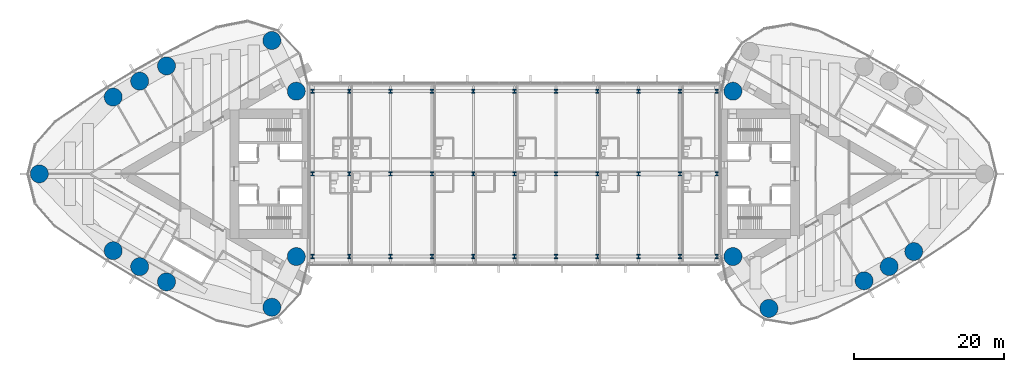
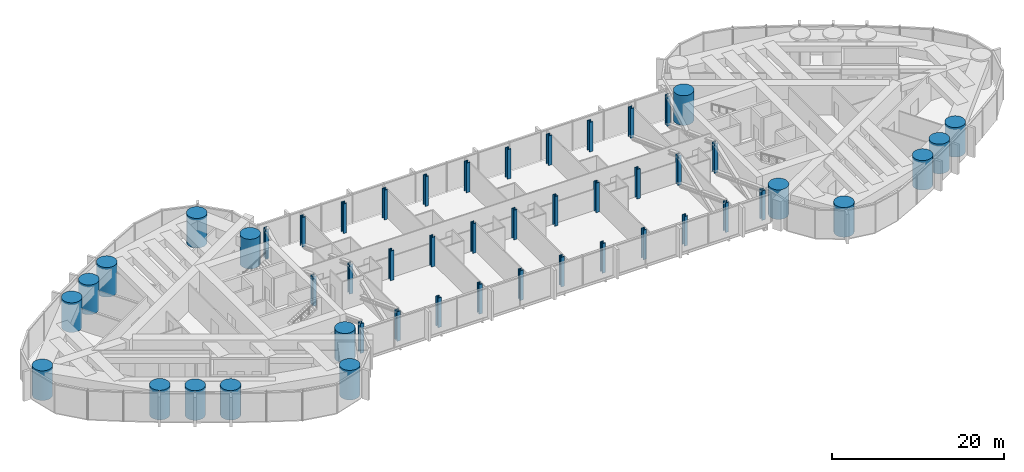
# One storey, part 1 of 23: 50 columns.
"""IFC4 building model written with IfcOpenShell, lengths in metres."""

from ifc_helpers import new_model, si_unit, direction, frame, origin, origin_2d, place, context, subcontext, project, spatial, circle, i_section, extrude, material, material_profile, profile_set, type_object, element, save


model = new_model("IFC4")

# Units and contexts
model_context = context("Model", 3, precision=1e-05, world=origin(), true_north=direction((0.0, 1.0)))
body_context = subcontext(model_context, "Body", "Model", "MODEL_VIEW")
ifc_project = project(units=[si_unit("LENGTHUNIT", "METRE"), si_unit("AREAUNIT", "SQUARE_METRE"), si_unit("VOLUMEUNIT", "CUBIC_METRE"), si_unit("PLANEANGLEUNIT", "RADIAN"), si_unit("MASSUNIT", "GRAM", prefix="KILO")], contexts=[model_context])

# Site, building, storey
site_placement = place(None, origin())
site = spatial("IfcSite", under=ifc_project, at=site_placement, CompositionType="ELEMENT")
building_placement = place(site_placement, origin())
building = spatial("IfcBuilding", under=site, at=building_placement, Name="Lancet Gate Hotel", CompositionType="ELEMENT")
storey_placement = place(building_placement, frame((0.0, 0.0, 247.699951171875)))
storey = spatial("IfcBuildingStorey", under=building, at=storey_placement, Name="L66", CompositionType="ELEMENT", Elevation=247.699951171875)

# Columns
ifc_material_1 = material(Name="Steel S460", Category="steel")
ifc_material_profile_1 = material_profile(ifc_material_1, i_section(OverallWidth=0.447998046875, OverallDepth=0.550048828125, WebThickness=0.072021484375, FlangeThickness=0.114990234375, FilletRadius=0.02001953125, at=origin_2d()), Name="HD 400x990")
ifc_profile_set_1 = profile_set([ifc_material_profile_1], Name="Steel S460")
column_type_1 = type_object("IfcColumnType", Name="Block column HD 400x990", PredefinedType="COLUMN", material=ifc_profile_set_1)
for number, where, z_axis, x_axis, name in (
    (1, (-26.89990234375, -11.0, 0.0), (0.0, 0.0, 1.0), (1.0, 0.0, 0.0), "Block column S0 L66"),
    (2, (-22.0, -11.0, 0.0), (0.0, 0.0, 1.0), (1.0, 0.0, 0.0), "Block column S1 L66"),
    (3, (-16.5, -11.0, 0.0), (0.0, 0.0, 1.0), (1.0, 0.0, 0.0), "Block column S2 L66"),
    (4, (-11.0, -11.0, 0.0), (0.0, 0.0, 1.0), (1.0, 0.0, 0.0), "Block column S3 L66"),
    (5, (-5.5, -11.0, 0.0), (0.0, 0.0, 1.0), (1.0, 0.0, 0.0), "Block column S4 L66"),
    (6, (0.0, -11.0, 0.0), (0.0, 0.0, 1.0), (1.0, 0.0, 0.0), "Block column S5 L66"),
    (7, (5.5, -11.0, 0.0), (0.0, 0.0, 1.0), (1.0, 0.0, 0.0), "Block column S6 L66"),
    (8, (11.0, -11.0, 0.0), (0.0, 0.0, 1.0), (1.0, 0.0, 0.0), "Block column S7 L66"),
    (9, (16.5, -11.0, 0.0), (0.0, 0.0, 1.0), (1.0, 0.0, 0.0), "Block column S8 L66"),
    (10, (22.0, -11.0, 0.0), (0.0, 0.0, 1.0), (1.0, 0.0, 0.0), "Block column S9 L66"),
    (11, (26.89990234375, -11.0, 0.0), (0.0, 0.0, 1.0), (1.0, 0.0, 0.0), "Block column S10 L66"),
    (12, (-26.89990234375, 0.0, 0.0), (0.0, 0.0, 1.0), (1.0, 0.0, 0.0), "Block column M0 L66"),
    (13, (-22.0, 0.0, 0.0), (0.0, 0.0, 1.0), (1.0, 0.0, 0.0), "Block column M1 L66"),
    (14, (-16.5, 0.0, 0.0), (0.0, 0.0, 1.0), (1.0, 0.0, 0.0), "Block column M2 L66"),
    (15, (-11.0, 0.0, 0.0), (0.0, 0.0, 1.0), (1.0, 0.0, 0.0), "Block column M3 L66"),
    (16, (-5.5, 0.0, 0.0), (0.0, 0.0, 1.0), (1.0, 0.0, 0.0), "Block column M4 L66"),
    (17, (0.0, 0.0, 0.0), (0.0, 0.0, 1.0), (1.0, 0.0, 0.0), "Block column M5 L66"),
    (18, (5.5, 0.0, 0.0), (0.0, 0.0, 1.0), (1.0, 0.0, 0.0), "Block column M6 L66"),
    (19, (11.0, 0.0, 0.0), (0.0, 0.0, 1.0), (1.0, 0.0, 0.0), "Block column M7 L66"),
    (20, (16.5, 0.0, 0.0), (0.0, 0.0, 1.0), (1.0, 0.0, 0.0), "Block column M8 L66"),
    (21, (22.0, 0.0, 0.0), (0.0, 0.0, 1.0), (1.0, 0.0, 0.0), "Block column M9 L66"),
    (22, (26.89990234375, 0.0, 0.0), (0.0, 0.0, 1.0), (1.0, 0.0, 0.0), "Block column M10 L66"),
    (23, (-26.89990234375, 11.0, 0.0), (0.0, 0.0, 1.0), (1.0, 0.0, 0.0), "Block column N0 L66"),
    (24, (-22.0, 11.0, 0.0), (0.0, 0.0, 1.0), (1.0, 0.0, 0.0), "Block column N1 L66"),
    (25, (-16.5, 11.0, 0.0), (0.0, 0.0, 1.0), (1.0, 0.0, 0.0), "Block column N2 L66"),
    (26, (-11.0, 11.0, 0.0), (0.0, 0.0, 1.0), (1.0, 0.0, 0.0), "Block column N3 L66"),
    (27, (-5.5, 11.0, 0.0), (0.0, 0.0, 1.0), (1.0, 0.0, 0.0), "Block column N4 L66"),
    (28, (0.0, 11.0, 0.0), (0.0, 0.0, 1.0), (1.0, 0.0, 0.0), "Block column N5 L66"),
    (29, (5.5, 11.0, 0.0), (0.0, 0.0, 1.0), (1.0, 0.0, 0.0), "Block column N6 L66"),
    (30, (11.0, 11.0, 0.0), (0.0, 0.0, 1.0), (1.0, 0.0, 0.0), "Block column N7 L66"),
    (31, (16.5, 11.0, 0.0), (0.0, 0.0, 1.0), (1.0, 0.0, 0.0), "Block column N8 L66"),
    (32, (22.0, 11.0, 0.0), (0.0, 0.0, 1.0), (1.0, 0.0, 0.0), "Block column N9 L66"),
    (33, (26.89990234375, 11.0, 0.0), (0.0, 0.0, 1.0), (1.0, 0.0, 0.0), "Block column N10 L66"),
):
    element("IfcColumn", number, at=place(storey_placement, frame(where, z_axis=z_axis, x_axis=x_axis)), inside=storey, type_object=column_type_1, Name=name, PredefinedType="COLUMN", context=body_context, shape_type="SweptSolid", body=[
        extrude(i_section(OverallWidth=0.447998046875, OverallDepth=0.550048828125, WebThickness=0.072021484375, FlangeThickness=0.114990234375, FilletRadius=0.02001953125, at=origin_2d()), origin(), (0.0, 0.0, 1.0), 4.199951171875),
    ])
ifc_material_2 = material(Name="Concrete C50/60", Category="concrete")
ifc_material_profile_2 = material_profile(ifc_material_2, circle(Radius=1.199951171875, at=origin_2d()), Name="RC D2400")
ifc_profile_set_2 = profile_set([ifc_material_profile_2], Name="Concrete C50/60")
column_type_2 = type_object("IfcColumnType", Name="Perimeter column RC D2400", PredefinedType="COLUMN", material=ifc_profile_set_2)
for number, where, z_axis, x_axis, name in (
    (34, (-63.234375, 0.0, 0.0), (0.0, 0.0, 1.0), (1.0, 0.0, 0.0), "T1 column CA L66"),
    (35, (-32.301025390625, -17.745361328125, 0.0), (0.0, 0.0, 1.0), (1.0, 0.0, 0.0), "T1 column CN L66"),
    (36, (-32.301025390625, 17.745361328125, 0.0), (0.0, 0.0, 1.0), (1.0, 0.0, 0.0), "T1 column CS L66"),
    (37, (-29.050048828125, -11.0, 0.0), (0.0, 0.0, 1.0), (1.0, 0.0, 0.0), "T1 column IN L66"),
    (38, (-29.050048828125, 11.0, 0.0), (0.0, 0.0, 1.0), (1.0, 0.0, 0.0), "T1 column IS L66"),
    (39, (-53.40771484375, -10.218994140625, 0.0), (0.0, 0.0, 1.0), (1.0, 0.0, 0.0), "T1 column ON1 L66"),
    (40, (-49.89013671875, -12.340087890625, 0.0), (0.0, 0.0, 1.0), (1.0, 0.0, 0.0), "T1 column ON2 L66"),
    (41, (-46.316650390625, -14.365478515625, 0.0), (0.0, 0.0, 1.0), (1.0, 0.0, 0.0), "T1 column ON3 L66"),
    (42, (-46.316650390625, 14.365478515625, 0.0), (0.0, 0.0, 1.0), (1.0, 0.0, 0.0), "T1 column OS1 L66"),
    (43, (-49.89013671875, 12.340087890625, 0.0), (0.0, 0.0, 1.0), (1.0, 0.0, 0.0), "T1 column OS2 L66"),
    (44, (-53.40771484375, 10.218994140625, 0.0), (0.0, 0.0, 1.0), (1.0, 0.0, 0.0), "T1 column OS3 L66"),
    (45, (33.837158203125, -17.906005859375, 0.0), (0.0, 0.0, 1.0), (1.0, 0.0, 0.0), "T2 column CS L66"),
    (46, (29.050048828125, 11.0, 0.0), (0.0, 0.0, 1.0), (1.0, 0.0, 0.0), "T2 column IN L66"),
    (47, (29.050048828125, -11.0, 0.0), (0.0, 0.0, 1.0), (1.0, 0.0, 0.0), "T2 column IS L66"),
    (48, (46.499267578125, -14.2255859375, 0.0), (0.0, 0.0, 1.0), (1.0, 0.0, 0.0), "T2 column OS1 L66"),
    (49, (49.833984375, -12.331787109375, 0.0), (0.0, 0.0, 1.0), (1.0, 0.0, 0.0), "T2 column OS2 L66"),
    (50, (53.107666015625, -10.333984375, 0.0), (0.0, 0.0, 1.0), (1.0, 0.0, 0.0), "T2 column OS3 L66"),
):
    element("IfcColumn", number, at=place(storey_placement, frame(where, z_axis=z_axis, x_axis=x_axis)), inside=storey, type_object=column_type_2, Name=name, PredefinedType="COLUMN", context=body_context, shape_type="SweptSolid", body=[
        extrude(circle(Radius=1.199951171875, at=origin_2d()), origin(), (0.0, 0.0, 1.0), 4.199951171875),
    ])

save(model, "model.ifc")
